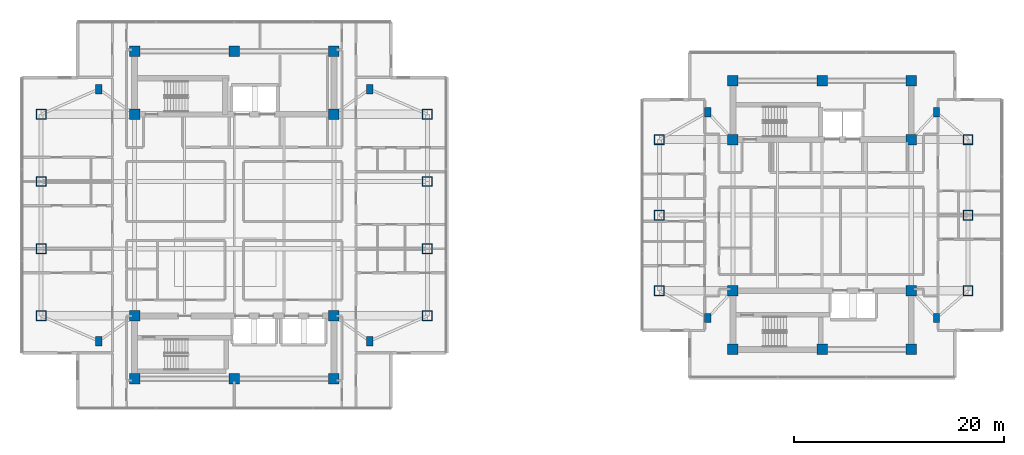
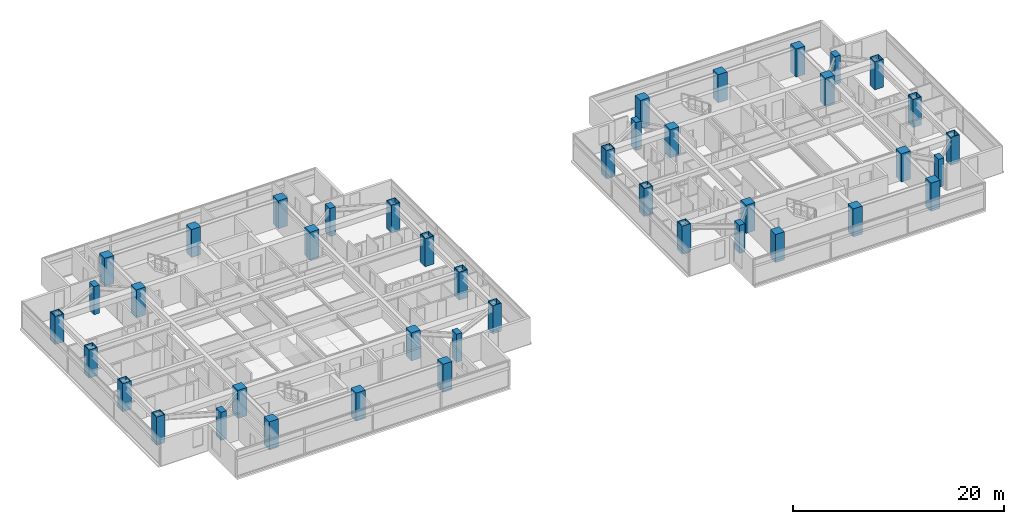
# One storey, part 1 of 24: 42 columns.
"""IFC4 building model written with IfcOpenShell, lengths in metres."""

from ifc_helpers import new_model, si_unit, direction, frame, origin, origin_2d, place, context, subcontext, project, spatial, rectangle, hollow_rectangle, extrude, material, material_profile, profile_set, type_object, element, save


model = new_model("IFC4")

# Units and contexts
model_context = context("Model", 3, precision=1e-05, world=origin(), true_north=direction((0.0, 1.0)))
body_context = subcontext(model_context, "Body", "Model", "MODEL_VIEW")
ifc_project = project(units=[si_unit("LENGTHUNIT", "METRE"), si_unit("AREAUNIT", "SQUARE_METRE"), si_unit("VOLUMEUNIT", "CUBIC_METRE"), si_unit("PLANEANGLEUNIT", "RADIAN"), si_unit("MASSUNIT", "GRAM", prefix="KILO")], contexts=[model_context])

# Site, building, storey
site_placement = place(None, origin())
site = spatial("IfcSite", under=ifc_project, at=site_placement, CompositionType="ELEMENT")
building_placement = place(site_placement, origin())
building = spatial("IfcBuilding", under=site, at=building_placement, Name="Mirazonda Arch Towers", CompositionType="ELEMENT")
storey_placement = place(building_placement, frame((0.0, 0.0, 160.89990234375)))
storey = spatial("IfcBuildingStorey", under=building, at=storey_placement, Name="L45", CompositionType="ELEMENT", Elevation=160.89990234375)

# Columns
ifc_material_1 = material(Name="Concrete C50/60", Category="concrete")
ifc_material_profile_1 = material_profile(ifc_material_1, rectangle(XDim=1.0, YDim=1.0, at=origin_2d()), Name="RC1000x1000")
ifc_profile_set_1 = profile_set([ifc_material_profile_1], Name="Concrete C50/60")
column_type_1 = type_object("IfcColumnType", Name="COL-INT-RC1000x1000", PredefinedType="COLUMN", material=ifc_profile_set_1)
for number, where, z_axis, x_axis, name in (
    (1, (11.0, 12.39990234375, 0.0), (0.0, 0.0, 1.0), (1.0, 0.0, 0.0), "L45 T1 Core Column 01"),
    (2, (20.5, 12.39990234375, 0.0), (0.0, 0.0, 1.0), (1.0, 0.0, 0.0), "L45 T1 Core Column 02"),
    (3, (30.0, 12.39990234375, 0.0), (0.0, 0.0, 1.0), (1.0, 0.0, 0.0), "L45 T1 Core Column 03"),
    (4, (11.0, 18.39990234375, 0.0), (0.0, 0.0, 1.0), (1.0, 0.0, 0.0), "L45 T1 Core Column 04"),
    (5, (30.0, 18.39990234375, 0.0), (0.0, 0.0, 1.0), (1.0, 0.0, 0.0), "L45 T1 Core Column 05"),
    (6, (11.0, 37.60009765625, 0.0), (0.0, 0.0, 1.0), (1.0, 0.0, 0.0), "L45 T1 Core Column 06"),
    (7, (30.0, 37.60009765625, 0.0), (0.0, 0.0, 1.0), (1.0, 0.0, 0.0), "L45 T1 Core Column 07"),
    (8, (11.0, 43.60009765625, 0.0), (0.0, 0.0, 1.0), (1.0, 0.0, 0.0), "L45 T1 Core Column 08"),
    (9, (20.5, 43.60009765625, 0.0), (0.0, 0.0, 1.0), (1.0, 0.0, 0.0), "L45 T1 Core Column 09"),
    (10, (30.0, 43.60009765625, 0.0), (0.0, 0.0, 1.0), (1.0, 0.0, 0.0), "L45 T1 Core Column 10"),
    (11, (68.0, 15.199951171875, 0.0), (0.0, 0.0, 1.0), (1.0, 0.0, 0.0), "L45 T2 Core Column 01"),
    (12, (76.5, 15.199951171875, 0.0), (0.0, 0.0, 1.0), (1.0, 0.0, 0.0), "L45 T2 Core Column 02"),
    (13, (85.0, 15.199951171875, 0.0), (0.0, 0.0, 1.0), (1.0, 0.0, 0.0), "L45 T2 Core Column 03"),
    (14, (68.0, 20.800048828125, 0.0), (0.0, 0.0, 1.0), (1.0, 0.0, 0.0), "L45 T2 Core Column 04"),
    (15, (85.0, 20.800048828125, 0.0), (0.0, 0.0, 1.0), (1.0, 0.0, 0.0), "L45 T2 Core Column 05"),
    (16, (68.0, 35.199951171875, 0.0), (0.0, 0.0, 1.0), (1.0, 0.0, 0.0), "L45 T2 Core Column 06"),
    (17, (85.0, 35.199951171875, 0.0), (0.0, 0.0, 1.0), (1.0, 0.0, 0.0), "L45 T2 Core Column 07"),
    (18, (68.0, 40.800048828125, 0.0), (0.0, 0.0, 1.0), (1.0, 0.0, 0.0), "L45 T2 Core Column 08"),
    (19, (76.5, 40.800048828125, 0.0), (0.0, 0.0, 1.0), (1.0, 0.0, 0.0), "L45 T2 Core Column 09"),
    (20, (85.0, 40.800048828125, 0.0), (0.0, 0.0, 1.0), (1.0, 0.0, 0.0), "L45 T2 Core Column 10"),
):
    element("IfcColumn", number, at=place(storey_placement, frame(where, z_axis=z_axis, x_axis=x_axis)), inside=storey, type_object=column_type_1, Name=name, PredefinedType="COLUMN", context=body_context, shape_type="SweptSolid", body=[
        extrude(rectangle(XDim=1.0, YDim=1.0, at=origin_2d()), origin(), (0.0, 0.0, 1.0), 3.25),
    ])
ifc_material_2 = material(Name="Steel ASTM A572 Grade 50", Category="steel")
ifc_material_profile_2 = material_profile(ifc_material_2, hollow_rectangle(XDim=0.949951171875, YDim=0.949951171875, WallThickness=0.050048828125, at=origin_2d()), Name="BOX950x950x50")
ifc_profile_set_2 = profile_set([ifc_material_profile_2], Name="Steel ASTM A572 Grade 50")
column_type_2 = type_object("IfcColumnType", Name="MCOL-EXT-BOX950x950x50", PredefinedType="COLUMN", material=ifc_profile_set_2)
for number, where, z_axis, x_axis, name in (
    (21, (2.10009765625, 18.39990234375, 0.0), (0.0, 0.0, 1.0), (1.0, 0.0, 0.0), "L45 T1 Composite Mega-Column 01"),
    (22, (2.10009765625, 24.800048828125, 0.0), (0.0, 0.0, 1.0), (1.0, 0.0, 0.0), "L45 T1 Composite Mega-Column 02"),
    (23, (2.10009765625, 31.199951171875, 0.0), (0.0, 0.0, 1.0), (1.0, 0.0, 0.0), "L45 T1 Composite Mega-Column 03"),
    (24, (2.10009765625, 37.60009765625, 0.0), (0.0, 0.0, 1.0), (1.0, 0.0, 0.0), "L45 T1 Composite Mega-Column 04"),
    (25, (38.89990234375, 18.39990234375, 0.0), (0.0, 0.0, 1.0), (1.0, 0.0, 0.0), "L45 T1 Composite Mega-Column 05"),
    (26, (38.89990234375, 24.800048828125, 0.0), (0.0, 0.0, 1.0), (1.0, 0.0, 0.0), "L45 T1 Composite Mega-Column 06"),
    (27, (38.89990234375, 31.199951171875, 0.0), (0.0, 0.0, 1.0), (1.0, 0.0, 0.0), "L45 T1 Composite Mega-Column 07"),
    (28, (38.89990234375, 37.60009765625, 0.0), (0.0, 0.0, 1.0), (1.0, 0.0, 0.0), "L45 T1 Composite Mega-Column 08"),
    (29, (61.0, 20.800048828125, 0.0), (0.0, 0.0, 1.0), (1.0, 0.0, 0.0), "L45 T2 Composite Mega-Column 01"),
    (30, (61.0, 28.0, 0.0), (0.0, 0.0, 1.0), (1.0, 0.0, 0.0), "L45 T2 Composite Mega-Column 02"),
    (31, (61.0, 35.199951171875, 0.0), (0.0, 0.0, 1.0), (1.0, 0.0, 0.0), "L45 T2 Composite Mega-Column 03"),
    (32, (90.39990234375, 20.800048828125, 0.0), (0.0, 0.0, 1.0), (1.0, 0.0, 0.0), "L45 T2 Composite Mega-Column 04"),
    (33, (90.39990234375, 28.0, 0.0), (0.0, 0.0, 1.0), (1.0, 0.0, 0.0), "L45 T2 Composite Mega-Column 05"),
    (34, (90.39990234375, 35.199951171875, 0.0), (0.0, 0.0, 1.0), (1.0, 0.0, 0.0), "L45 T2 Composite Mega-Column 06"),
):
    element("IfcColumn", number, at=place(storey_placement, frame(where, z_axis=z_axis, x_axis=x_axis)), inside=storey, type_object=column_type_2, Name=name, PredefinedType="COLUMN", context=body_context, shape_type="SweptSolid", body=[
        extrude(hollow_rectangle(XDim=0.949951171875, YDim=0.949951171875, WallThickness=0.050048828125, at=origin_2d()), origin(), (0.0, 0.0, 1.0), 3.25),
    ])
ifc_material_profile_3 = material_profile(ifc_material_1, rectangle(XDim=0.60009765625, YDim=0.89990234375, at=origin_2d()), Name="RC900x600")
ifc_profile_set_3 = profile_set([ifc_material_profile_3], Name="Concrete C50/60")
column_type_3 = type_object("IfcColumnType", Name="PIL-EXT-RC900x600", PredefinedType="PILASTER", material=ifc_profile_set_3)
for number, where, z_axis, x_axis, name in (
    (35, (7.60009765625, 16.0, 0.0), (0.0, 0.0, 1.0), (1.0, 0.0, 0.0), "L45 T1 Corner Pilaster 01"),
    (36, (33.39990234375, 16.0, 0.0), (0.0, 0.0, 1.0), (1.0, 0.0, 0.0), "L45 T1 Corner Pilaster 02"),
    (37, (7.60009765625, 40.0, 0.0), (0.0, 0.0, 1.0), (1.0, 0.0, 0.0), "L45 T1 Corner Pilaster 03"),
    (38, (33.39990234375, 40.0, 0.0), (0.0, 0.0, 1.0), (1.0, 0.0, 0.0), "L45 T1 Corner Pilaster 04"),
    (39, (65.60009765625, 18.199951171875, 0.0), (0.0, 0.0, 1.0), (1.0, 0.0, 0.0), "L45 T2 Corner Pilaster 01"),
    (40, (87.39990234375, 18.199951171875, 0.0), (0.0, 0.0, 1.0), (1.0, 0.0, 0.0), "L45 T2 Corner Pilaster 02"),
    (41, (65.60009765625, 37.800048828125, 0.0), (0.0, 0.0, 1.0), (1.0, 0.0, 0.0), "L45 T2 Corner Pilaster 03"),
    (42, (87.39990234375, 37.800048828125, 0.0), (0.0, 0.0, 1.0), (1.0, 0.0, 0.0), "L45 T2 Corner Pilaster 04"),
):
    element("IfcColumn", number, at=place(storey_placement, frame(where, z_axis=z_axis, x_axis=x_axis)), inside=storey, type_object=column_type_3, Name=name, PredefinedType="PILASTER", context=body_context, shape_type="SweptSolid", body=[
        extrude(rectangle(XDim=0.60009765625, YDim=0.89990234375, at=origin_2d()), origin(), (0.0, 0.0, 1.0), 3.25),
    ])

save(model, "model.ifc")
